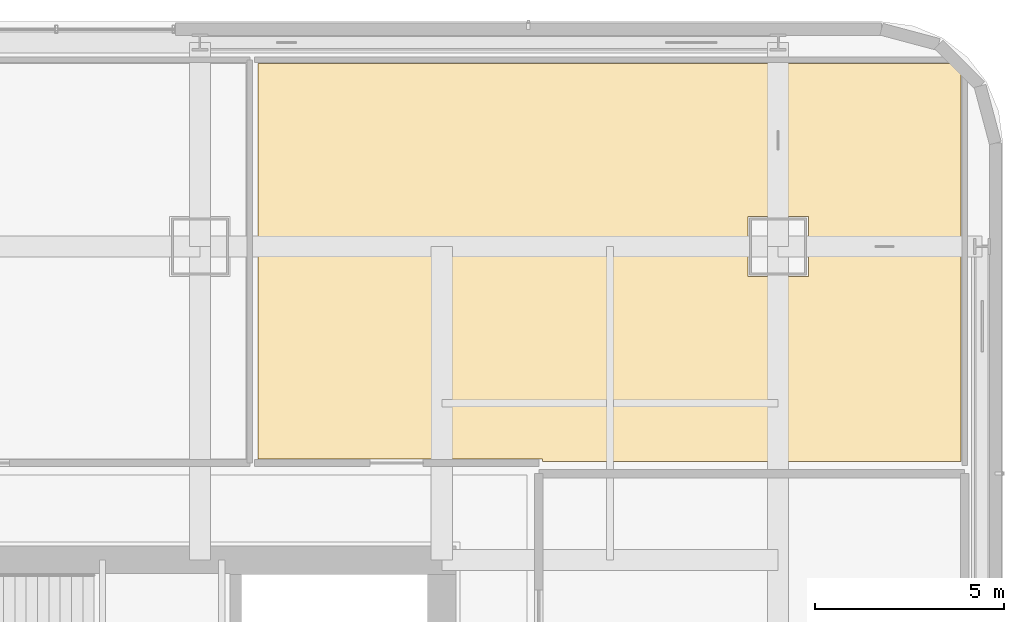
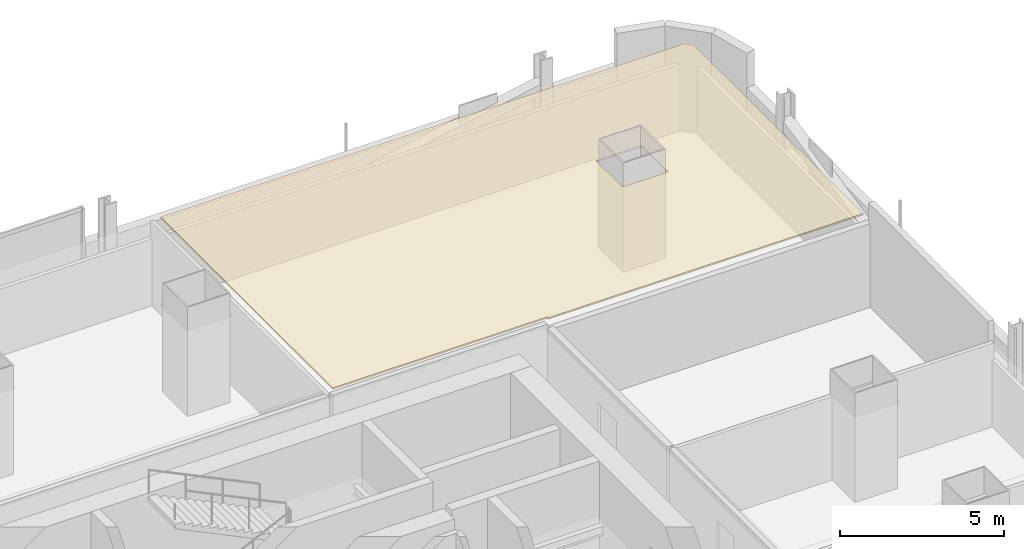
# One storey, part 27 of 28: 1 covering.
"""IFC4 building model written with IfcOpenShell, lengths in metres."""

import ifcopenshell
import ifcopenshell.guid

model = None  # the IFC model being written
_history = None  # IfcOwnerHistory: only IFC2X3 demands one
_inside = {}  # id of a spatial element -> (the spatial element, [elements in it])
_under = {}  # id of a project, library or spatial element -> (it, [spatial elements below it])
_declared = {}  # id of a project -> (the project, [libraries it declares])
_typed = {}  # id of a type object -> (the type object, [elements of that type])
_made_of = {}  # id of a material, layer set ... -> (it, [elements and type objects made of it])


def new_model(schema):
    """Start an empty IFC model of exactly this schema.

    Asked for "IFC4X3", IfcOpenShell would pick the latest addendum, in which some entities
    have other attributes; the version numbers below select the first issue.
    IFC2X3 requires an IfcOwnerHistory on every rooted entity: one is made here for all.
    """
    global model, _history
    if schema == "IFC4X3":
        model = ifcopenshell.file(schema_version=(4, 3, 0, 0))
    else:
        model = ifcopenshell.file(schema=schema)
    _inside.clear()
    _under.clear()
    _declared.clear()
    _typed.clear()
    _made_of.clear()
    _history = None
    if model.schema == "IFC2X3":
        org = make("IfcOrganization", Name="unknown")
        user = make(
            "IfcPersonAndOrganization",
            ThePerson=make("IfcPerson", FamilyName="unknown"),
            TheOrganization=org,
        )
        app = make(
            "IfcApplication",
            ApplicationDeveloper=org,
            Version="unknown",
            ApplicationFullName="unknown",
            ApplicationIdentifier="unknown",
        )
        _history = make(
            "IfcOwnerHistory",
            OwningUser=user,
            OwningApplication=app,
            ChangeAction="ADDED",
            CreationDate=0,
        )
    return model


def make(cls, **values):
    """One entity of the class cls with the attributes given. An attribute that is None is left unset."""
    return model.create_entity(
        cls, **{name: value for name, value in values.items() if value is not None}
    )


def rooted(cls, **values):
    """An entity with a GlobalId (a new one), such as an element, a storey or a relation."""
    return make(cls, GlobalId=ifcopenshell.guid.new(), OwnerHistory=_history, **values)


def si_unit(unit_type, name, prefix=None):
    """IfcSIUnit, for example si_unit("LENGTHUNIT", "METRE", prefix="MILLI")."""
    return make("IfcSIUnit", UnitType=unit_type, Prefix=prefix, Name=name)


def assignment(units):
    """IfcUnitAssignment: the units of a project."""
    return None if units is None else make("IfcUnitAssignment", Units=units)


def point(xyz):
    """IfcCartesianPoint."""
    return None if xyz is None else make("IfcCartesianPoint", Coordinates=xyz)


def direction(xyz):
    """IfcDirection."""
    return None if xyz is None else make("IfcDirection", DirectionRatios=xyz)


def frame(location, z_axis=None, x_axis=None):
    """IfcAxis2Placement3D, a coordinate frame: its origin and axes. An axis left out is left unset."""
    return make(
        "IfcAxis2Placement3D",
        Location=point(location),
        Axis=direction(z_axis),
        RefDirection=direction(x_axis),
    )


def origin():
    """The frame at (0, 0, 0) with its axes left unset."""
    return frame((0.0, 0.0, 0.0))


def place(relative_to, where):
    """IfcLocalPlacement: puts the frame where relative to a parent placement (None: the world)."""
    return make(
        "IfcLocalPlacement", PlacementRelTo=relative_to, RelativePlacement=where
    )


def context(
    kind, dimensions, precision=None, world=None, true_north=None, identifier=None
):
    """IfcGeometricRepresentationContext, for example the 3D "Model" context."""
    return make(
        "IfcGeometricRepresentationContext",
        ContextIdentifier=identifier,
        ContextType=kind,
        CoordinateSpaceDimension=dimensions,
        Precision=precision,
        WorldCoordinateSystem=world,
        TrueNorth=true_north,
    )


def subcontext(parent, identifier, kind, view, scale=None):
    """IfcGeometricRepresentationSubContext, for example "Body" below "Model"."""
    return make(
        "IfcGeometricRepresentationSubContext",
        ContextIdentifier=identifier,
        ContextType=kind,
        ParentContext=parent,
        TargetScale=scale,
        TargetView=view,
    )


def project(units=None, contexts=None):
    """IfcProject with its units and contexts."""
    return rooted(
        "IfcProject",
        Name="project",
        RepresentationContexts=contexts,
        UnitsInContext=assignment(units),
    )


def spatial(cls, under=None, at=None, **own):
    """A site, building, storey or space (cls), placed at a placement, below another one or the project."""
    s = rooted(cls, ObjectPlacement=at, **own)
    if under is not None:
        _under.setdefault(under.id(), (under, []))[1].append(s)
    return s


def polyline(points):
    """IfcPolyline through the points."""
    return make("IfcPolyline", Points=[point(p) for p in points])


def outline(outer, holes=None, kind="AREA"):
    """IfcArbitraryClosedProfileDef: a profile drawn as a closed curve; with holes, ...WithVoids."""
    if holes is None:
        return make("IfcArbitraryClosedProfileDef", ProfileType=kind, OuterCurve=outer)
    return make(
        "IfcArbitraryProfileDefWithVoids",
        ProfileType=kind,
        OuterCurve=outer,
        InnerCurves=holes,
    )


def extrude(swept, where, along, depth):
    """IfcExtrudedAreaSolid: the profile swept, set in the frame where, extruded along a direction by depth."""
    return make(
        "IfcExtrudedAreaSolid",
        SweptArea=swept,
        Position=where,
        ExtrudedDirection=direction(along),
        Depth=depth,
    )


def shape(context_of_items, identifier, shape_type, items):
    """IfcShapeRepresentation: the items that make up one representation, for example the "Body"."""
    return make(
        "IfcShapeRepresentation",
        ContextOfItems=context_of_items,
        RepresentationIdentifier=identifier,
        RepresentationType=shape_type,
        Items=items,
    )


def material(Name=None, Category=None):
    """IfcMaterial."""
    return make("IfcMaterial", Name=Name, Category=Category)


def layer(
    of_material, thickness, ventilated=None, Name=None, Category=None, Priority=None
):
    """IfcMaterialLayer: one layer of a wall or slab, of a material (None: an air gap)."""
    return make(
        "IfcMaterialLayer",
        Material=of_material,
        LayerThickness=thickness,
        IsVentilated=ventilated,
        Name=Name,
        Category=Category,
        Priority=Priority,
    )


def layer_set(layers, Name=None):
    """IfcMaterialLayerSet."""
    return make("IfcMaterialLayerSet", MaterialLayers=layers, LayerSetName=Name)


def made_of(thing, what):
    """Note that an element or type object is made of a material, layer set ...; save() writes the relation."""
    if what is not None:
        _made_of.setdefault(what.id(), (what, []))[1].append(thing)
    return thing


def type_object(cls, material=None, **own):
    """A type object (cls), such as IfcWallType, which elements share."""
    return made_of(rooted(cls, **own), material)


def element(
    cls,
    number,
    at=None,
    inside=None,
    cuts=None,
    type_object=None,
    material=None,
    context=None,
    identifier="Body",
    shape_type=None,
    held_by="IfcProductDefinitionShape",
    body=None,
    shapes=None,
    **own,
):
    """One element of the class cls, such as IfcWall. Its Tag is "e" and its number.

    at: its placement. inside: the storey or other place that contains it. cuts: it is an
    opening in that element (IfcRelVoidsElement). A single representation is given by context,
    identifier, shape_type and body (its items); several are given by shapes. held_by: the class
    of the entity that holds the representations. save() writes the other relations.
    """
    e = rooted(cls, Tag="e%d" % number, ObjectPlacement=at, **own)
    if body is not None:
        shapes = [shape(context, identifier, shape_type, body)]
    if shapes is not None:
        e.Representation = make(held_by, Representations=shapes)
    if inside is not None:
        _inside.setdefault(inside.id(), (inside, []))[1].append(e)
    if cuts is not None:
        rooted(
            "IfcRelVoidsElement", RelatingBuildingElement=cuts, RelatedOpeningElement=e
        )
    if type_object is not None:
        _typed.setdefault(type_object.id(), (type_object, []))[1].append(e)
    return made_of(e, material)


def aggregate(whole, parts):
    """IfcRelAggregates: a whole, such as a stair, and the parts it consists of."""
    return rooted("IfcRelAggregates", RelatingObject=whole, RelatedObjects=parts)


def save(model, path):
    """Write the relations noted so far, then the file.

    IfcRelAggregates (storeys below a building ...), IfcRelContainedInSpatialStructure (elements
    in a storey), IfcRelDefinesByType, IfcRelAssociatesMaterial and IfcRelDeclares: one each for
    every whole, place, type object, material and project.
    """
    for whole, parts in _under.values():
        aggregate(whole, parts)
    for where, things in _inside.values():
        rooted(
            "IfcRelContainedInSpatialStructure",
            RelatedElements=things,
            RelatingStructure=where,
        )
    for kind, things in _typed.values():
        rooted("IfcRelDefinesByType", RelatedObjects=things, RelatingType=kind)
    for what, things in _made_of.values():
        rooted("IfcRelAssociatesMaterial", RelatedObjects=things, RelatingMaterial=what)
    for by, libraries in _declared.values():
        rooted("IfcRelDeclares", RelatingContext=by, RelatedDefinitions=libraries)
    model.write(path)


model = new_model("IFC4")

# Units and contexts
model_context = context("Model", 3, precision=1e-05, world=origin(), true_north=direction((0.0, 1.0)))
body_context = subcontext(model_context, "Body", "Model", "MODEL_VIEW")
ifc_project = project(units=[si_unit("LENGTHUNIT", "METRE"), si_unit("AREAUNIT", "SQUARE_METRE"), si_unit("VOLUMEUNIT", "CUBIC_METRE"), si_unit("PLANEANGLEUNIT", "RADIAN"), si_unit("MASSUNIT", "GRAM", prefix="KILO")], contexts=[model_context])

# Site, building, storey
site_placement = place(None, origin())
site = spatial("IfcSite", under=ifc_project, at=site_placement, CompositionType="ELEMENT")
building_placement = place(site_placement, origin())
building = spatial("IfcBuilding", under=site, at=building_placement, Name="Punatoya Terracotta Tower", CompositionType="ELEMENT")
storey_placement = place(building_placement, frame((0.0, 0.0, 93.0)))
storey = spatial("IfcBuildingStorey", under=building, at=storey_placement, Name="L21", CompositionType="ELEMENT", Elevation=93.0)

# Covering
ifc_material = material(Name="Acoustic Mineral Fibre Ceiling")
ifc_layer = layer(ifc_material, 0.06005859375)
ifc_layer_set = layer_set([ifc_layer], Name="Acoustic Mineral Fibre Ceiling")
covering_type = type_object("IfcCoveringType", Name="COV-CEIL-60", PredefinedType="CEILING", material=ifc_layer_set)
covering_placement = place(storey_placement, frame((0.0, 0.0, 3.159912109375)))
element("IfcCovering", 1, at=covering_placement, inside=storey, type_object=covering_type, Name="L21 Visualization Review Room Acoustic Ceiling", PredefinedType="CEILING", context=body_context, shape_type="SweptSolid", body=[
    extrude(outline(polyline([(12.8701171875, 11.81005859375), (23.93994140625, 11.81005859375), (23.93994140625, 22.113525390625), (23.841796875, 22.24169921875), (23.713623046875, 22.340087890625), (5.337890625, 22.340087890625), (5.337890625, 11.8701171875), (12.8701171875, 11.8701171875), (12.8701171875, 11.81005859375)]), holes=[polyline([(19.89990234375, 18.300048828125), (19.89990234375, 16.699951171875), (18.300048828125, 16.699951171875), (18.300048828125, 18.300048828125), (19.89990234375, 18.300048828125)])]), origin(), (0.0, 0.0, 1.0), 0.06005859375),
])

save(model, "model.ifc")
